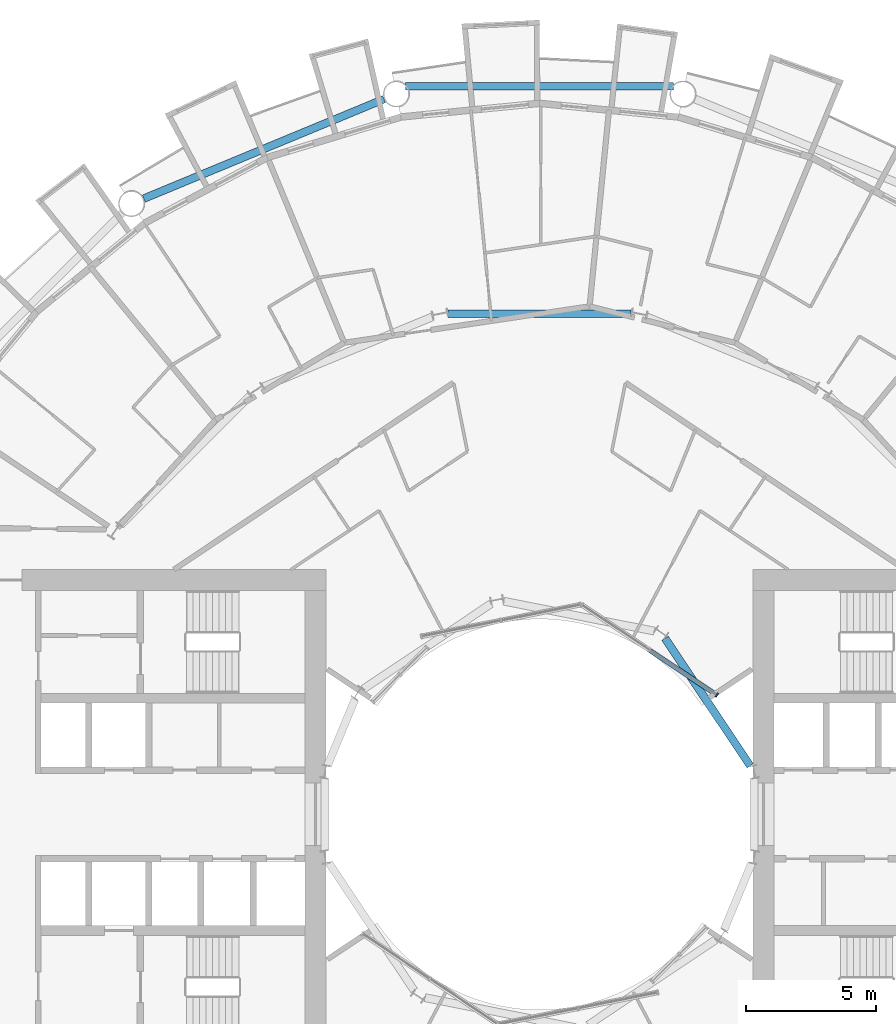
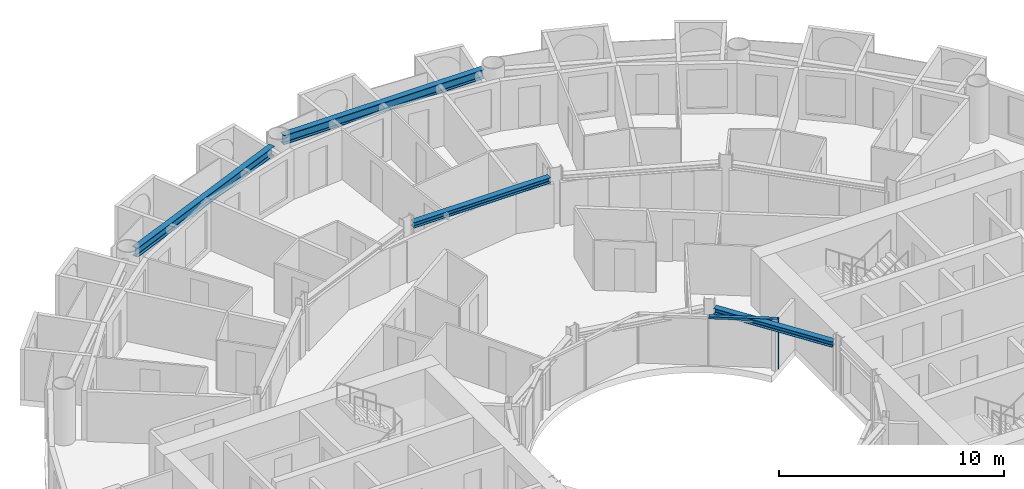
# One storey, part 8 of 26: 4 beams, 2 members, 1 element without a shape of its own.
"""IFC4 building model written with IfcOpenShell, lengths in metres."""

from ifc_helpers import new_model, si_unit, direction, frame, origin, origin_2d, place, context, subcontext, project, spatial, rectangle, i_section, extrude, material, layer, layer_set, material_profile, profile_set, type_object, element, aggregate, save


model = new_model("IFC4")

# Units and contexts
model_context = context("Model", 3, precision=1e-05, world=origin(), true_north=direction((0.0, 1.0)))
body_context = subcontext(model_context, "Body", "Model", "MODEL_VIEW")
ifc_project = project(units=[si_unit("LENGTHUNIT", "METRE"), si_unit("AREAUNIT", "SQUARE_METRE"), si_unit("VOLUMEUNIT", "CUBIC_METRE"), si_unit("PLANEANGLEUNIT", "RADIAN"), si_unit("MASSUNIT", "GRAM", prefix="KILO")], contexts=[model_context])

# Site, building, storey
site_placement = place(None, origin())
site = spatial("IfcSite", under=ifc_project, at=site_placement, CompositionType="ELEMENT")
building_placement = place(site_placement, origin())
building = spatial("IfcBuilding", under=site, at=building_placement, Name="Maasbend Ring Residences", CompositionType="ELEMENT")
storey_placement = place(building_placement, frame((0.0, 0.0, 28.89990234375)))
storey = spatial("IfcBuildingStorey", under=building, at=storey_placement, Name="L07", CompositionType="ELEMENT", Elevation=28.89990234375)

# Curtain wall, members
ifc_material_1 = material(Name="Aluminium and clear glass", Category="aluminium")
ifc_layer = layer(ifc_material_1, 0.179931640625)
ifc_layer_set = layer_set([ifc_layer], Name="CW-W")
curtain_wall_type = type_object("IfcCurtainWallType", Name="CW-W", PredefinedType="NOTDEFINED", material=ifc_layer_set)
curtain_wall_placement = place(storey_placement, origin())
curtain_wall = element("IfcCurtainWall", 1, at=curtain_wall_placement, inside=storey, type_object=curtain_wall_type, Name="Well curtain wall N1", PredefinedType="NOTDEFINED")
ifc_material_2 = material(Name="Aluminium 6063-T6", Category="aluminium")
ifc_material_profile_1 = material_profile(ifc_material_2, rectangle(XDim=0.179931640625, YDim=0.06005859375, at=origin_2d()), Name="AL 180x60")
ifc_profile_set_1 = profile_set([ifc_material_profile_1], Name="Aluminium 6063-T6")
member_type_1 = type_object("IfcMemberType", Name="CWM-W", PredefinedType="MULLION", material=ifc_profile_set_1)
member_1_placement = place(storey_placement, frame((6.805908203125, 4.580810546875, 0.0), z_axis=(0.0, 0.0, 1.0), x_axis=(-0.55557023302, -0.831469612303, 0.0)))
member_1 = element("IfcMember", 2, at=member_1_placement, type_object=member_type_1, Name="Mullion well face", PredefinedType="MULLION", context=body_context, shape_type="SweptSolid", body=[
    extrude(rectangle(XDim=0.179931640625, YDim=0.06005859375, at=origin_2d()), origin(), (0.0, 0.0, 1.0), 2.7001953125),
])
ifc_material_3 = material(Name="Aluminium 6063-T6", Category="aluminium")
ifc_material_profile_2 = material_profile(ifc_material_3, rectangle(XDim=0.179931640625, YDim=0.1201171875, at=origin_2d()), Name="AL 180x120")
ifc_profile_set_2 = profile_set([ifc_material_profile_2], Name="Aluminium 6063-T6")
member_type_2 = type_object("IfcMemberType", Name="CWT-W", PredefinedType="USERDEFINED", material=ifc_profile_set_2)
member_2_placement = place(storey_placement, frame((6.781005859375, 4.59765625, 2.64013671875), z_axis=(-0.831496422459, 0.555530106689, 0.0), x_axis=(-0.555530106689, -0.831496422459, 0.0)))
member_2 = element("IfcMember", 3, at=member_2_placement, type_object=member_type_2, Name="Transom well face", ObjectType="TRANSOM", PredefinedType="USERDEFINED", context=body_context, shape_type="SweptSolid", body=[
    extrude(rectangle(XDim=0.179931640625, YDim=0.1201171875, at=origin_2d()), origin(), (0.0, 0.0, 1.0), 3.053955078125),
])
aggregate(curtain_wall, [member_1, member_2])

# Beams
ifc_material_4 = material(Name="Steel S355J2", Category="steel")
ifc_material_profile_3 = material_profile(ifc_material_4, i_section(OverallWidth=0.300048828125, OverallDepth=0.300048828125, WebThickness=0.010986328125, FlangeThickness=0.01904296875, FilletRadius=0.027099609375, at=origin_2d()), Name="HEB 300")
ifc_profile_set_3 = profile_set([ifc_material_profile_3], Name="Steel S355J2")
beam_type_1 = type_object("IfcBeamType", Name="Corridor ring beam HEB 300", PredefinedType="BEAM", material=ifc_profile_set_3)
beam_1_placement = place(storey_placement, frame((3.5078125, 19.223388671875, 2.550048828125), z_axis=(-1.0, 0.0, 0.0), x_axis=(0.0, -1.0, 0.0)))
element("IfcBeam", 4, at=beam_1_placement, inside=storey, type_object=beam_type_1, Name="Corridor ring beam", PredefinedType="BEAM", context=body_context, shape_type="SweptSolid", body=[
    extrude(i_section(OverallWidth=0.300048828125, OverallDepth=0.300048828125, WebThickness=0.010986328125, FlangeThickness=0.01904296875, FilletRadius=0.027099609375, at=origin_2d()), origin(), (0.0, 0.0, 1.0), 7.015625),
])
ifc_material_5 = material(Name="Steel S355J2", Category="steel")
ifc_material_profile_4 = material_profile(ifc_material_5, i_section(OverallWidth=0.300048828125, OverallDepth=0.5, WebThickness=0.014404296875, FlangeThickness=0.028076171875, FilletRadius=0.027099609375, at=origin_2d()), Name="HEB 500")
ifc_profile_set_4 = profile_set([ifc_material_profile_4], Name="Steel S355J2")
beam_type_2 = type_object("IfcBeamType", Name="Spandrel ring beam HEB 500", PredefinedType="SPANDREL", material=ifc_profile_set_4)
beam_2_placement = place(storey_placement, frame((5.1435546875, 27.9580078125, 2.4501953125), z_axis=(-1.0, 0.0, 0.0), x_axis=(0.0, -1.0, 0.0)))
element("IfcBeam", 5, at=beam_2_placement, inside=storey, type_object=beam_type_2, Name="Spandrel ring beam", PredefinedType="SPANDREL", context=body_context, shape_type="SweptSolid", body=[
    extrude(i_section(OverallWidth=0.300048828125, OverallDepth=0.5, WebThickness=0.014404296875, FlangeThickness=0.028076171875, FilletRadius=0.027099609375, at=origin_2d()), origin(), (0.0, 0.0, 1.0), 10.287109375),
])
beam_3_placement = place(storey_placement, frame((-5.970703125, 27.463623046875, 2.4501953125), z_axis=(-0.923886337442, -0.382667003395, 0.0), x_axis=(0.382667003395, -0.923886337442, 0.0)))
element("IfcBeam", 6, at=beam_3_placement, inside=storey, type_object=beam_type_2, Name="Spandrel ring beam", PredefinedType="SPANDREL", context=body_context, shape_type="SweptSolid", body=[
    extrude(i_section(OverallWidth=0.300048828125, OverallDepth=0.5, WebThickness=0.014404296875, FlangeThickness=0.028076171875, FilletRadius=0.027099609375, at=origin_2d()), origin(), (0.0, 0.0, 1.0), 9.9873046875),
])
ifc_material_6 = material(Name="Steel S355J2", Category="steel")
ifc_material_profile_5 = material_profile(ifc_material_6, i_section(OverallWidth=0.300048828125, OverallDepth=0.300048828125, WebThickness=0.010986328125, FlangeThickness=0.01904296875, FilletRadius=0.027099609375, at=origin_2d()), Name="HEB 300")
ifc_profile_set_5 = profile_set([ifc_material_profile_5], Name="Steel S355J2")
beam_type_3 = type_object("IfcBeamType", Name="Well edge beam HEB 300", PredefinedType="BEAM", material=ifc_profile_set_5)
beam_4_placement = place(storey_placement, frame((8.08837890625, 1.86376953125, 2.550048828125), z_axis=(-0.555589782054, 0.831456549723, 0.0), x_axis=(-0.831456549723, -0.555589782054, 0.0)))
element("IfcBeam", 7, at=beam_4_placement, inside=storey, type_object=beam_type_3, Name="Well edge beam", PredefinedType="BEAM", context=body_context, shape_type="SweptSolid", body=[
    extrude(i_section(OverallWidth=0.300048828125, OverallDepth=0.300048828125, WebThickness=0.010986328125, FlangeThickness=0.01904296875, FilletRadius=0.027099609375, at=origin_2d()), origin(), (0.0, 0.0, 1.0), 5.887939453125),
])

save(model, "model.ifc")
